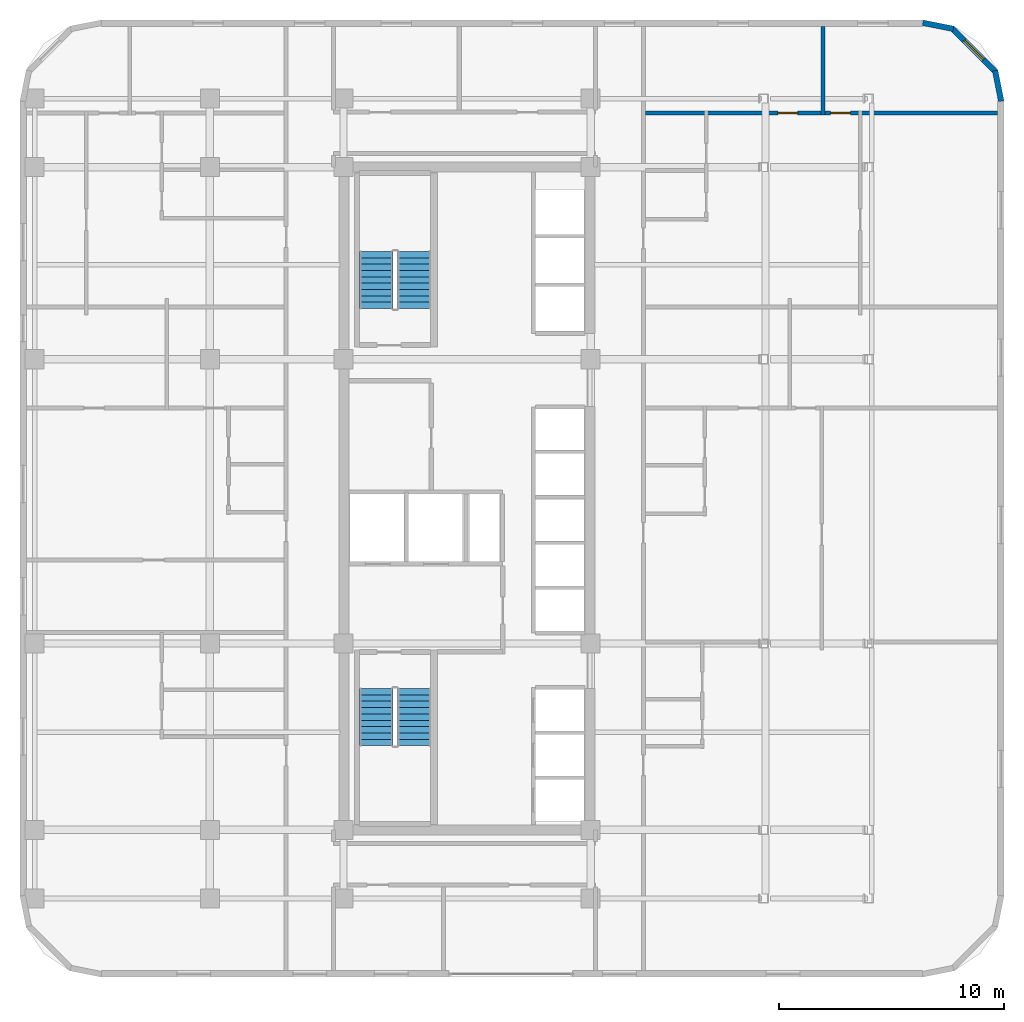
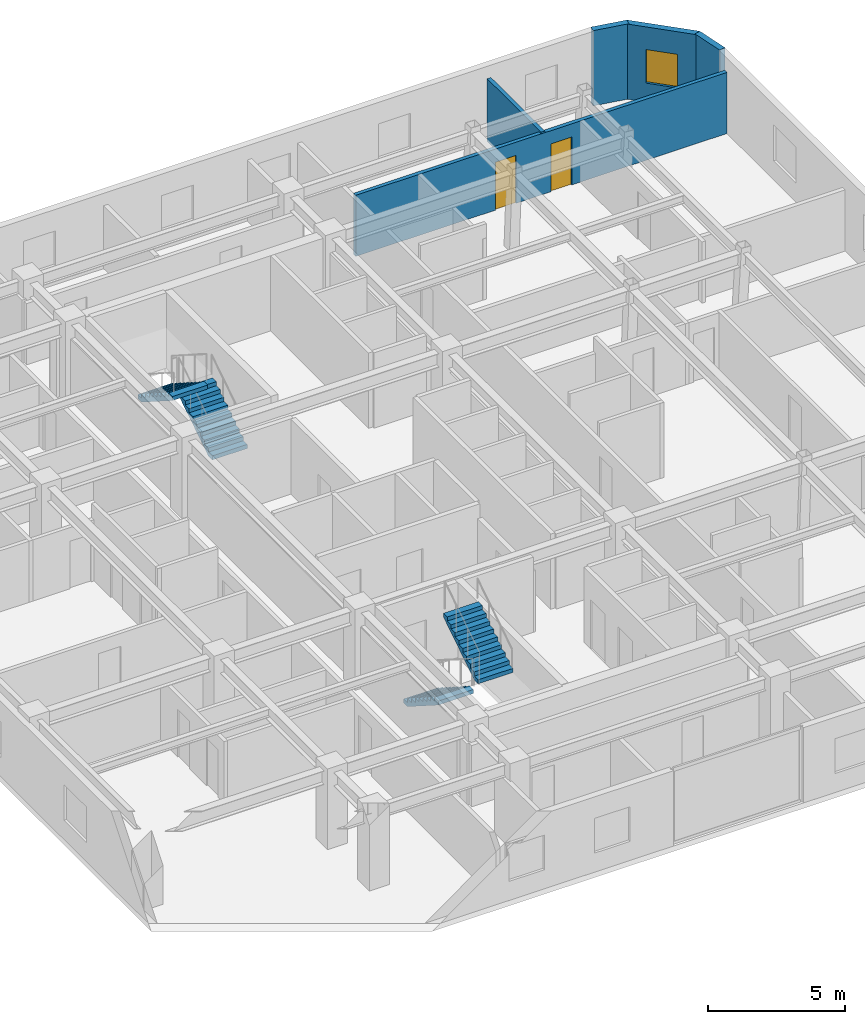
# One storey, part 8 of 9: 5 walls, 4 stair flights, 2 doors, 1 window, 3 openings, 2 elements without a shape of their own.
"""IFC4 building model written with IfcOpenShell, lengths in metres."""

from ifc_helpers import new_model, si_unit, direction, frame, frame_2d, origin, place, context, subcontext, project, spatial, polyline, rectangle, outline, extrude, material, layer, layer_set, type_object, element, fill, aggregate, save


model = new_model("IFC4")

# Units and contexts
model_context = context("Model", 3, precision=1e-05, world=origin(), true_north=direction((0.0, 1.0)))
body_context = subcontext(model_context, "Body", "Model", "MODEL_VIEW")
ifc_project = project(units=[si_unit("LENGTHUNIT", "METRE"), si_unit("AREAUNIT", "SQUARE_METRE"), si_unit("VOLUMEUNIT", "CUBIC_METRE"), si_unit("PLANEANGLEUNIT", "RADIAN"), si_unit("MASSUNIT", "GRAM", prefix="KILO")], contexts=[model_context])

# Site, building, storey
site_placement = place(None, origin())
site = spatial("IfcSite", under=ifc_project, at=site_placement, CompositionType="ELEMENT")
building_placement = place(site_placement, origin())
building = spatial("IfcBuilding", under=site, at=building_placement, Name="Ochreholt Gables", CompositionType="ELEMENT")
storey_placement = place(building_placement, frame((0.0, 0.0, 84.0)))
storey = spatial("IfcBuildingStorey", under=building, at=storey_placement, Name="L21", CompositionType="ELEMENT", Elevation=84.0)

# Wall
ifc_material_1 = material(Name="Precast concrete 40 MPa", Category="concrete")
ifc_layer_1 = layer(ifc_material_1, 0.25, Name="Precast concrete 40 MPa")
ifc_layer_set_1 = layer_set([ifc_layer_1], Name="Precast concrete 40 MPa")
wall_type_1 = type_object("IfcWallType", Name="WALL-EXT-CNR", PredefinedType="SOLIDWALL", material=ifc_layer_set_1)
wall_1_placement = place(storey_placement, frame((53.475830078125, 41.68359375, 0.0), z_axis=(0.0, 0.0, 1.0), x_axis=(-0.195000137217, 0.980803214965, 0.0)))
element("IfcWall", 1, at=wall_1_placement, inside=storey, type_object=wall_type_1, Name="L21 Rounded Corner Wall NE-1", PredefinedType="SOLIDWALL", context=body_context, shape_type="SweptSolid", body=[
    extrude(rectangle(XDim=1.388427734375, YDim=0.25, at=frame_2d((0.6943359375, 0.0))), origin(), (0.0, 0.0, 1.0), 3.360107421875),
])

# Wall, opening, window
wall_2_placement = place(storey_placement, frame((53.23193359375, 42.9951171875, 0.0), z_axis=(0.0, 0.0, 1.0), x_axis=(-0.707151344399, 0.707062215165, 0.0)))
wall_2 = element("IfcWall", 2, at=wall_2_placement, inside=storey, type_object=wall_type_1, Name="L21 Rounded Corner Wall NE-2", PredefinedType="SOLIDWALL", context=body_context, shape_type="SweptSolid", body=[
    extrude(rectangle(XDim=2.7392578125, YDim=0.25, at=frame_2d((1.36962890625, 0.0))), origin(), (0.0, 0.0, 1.0), 3.360107421875),
])
opening_1_placement = place(wall_2_placement, frame((0.769775390625, 0.0, 0.85009765625)))
opening_1 = element("IfcOpeningElement", 3, at=opening_1_placement, cuts=wall_2, Name="Opening WN-3", PredefinedType="OPENING", context=body_context, shape_type="SweptSolid", body=[
    extrude(rectangle(XDim=1.199951171875, YDim=1.5, at=frame_2d((0.60009765625, 0.75))), frame((0.0, 0.135009765625, 0.0), z_axis=(0.0, -1.0, 0.0), x_axis=(1.0, 0.0, 0.0)), (0.0, 0.0, 1.0), 0.27001953125),
])
ifc_material_2 = material(Name="Triple-Glazed Thermally Broken Aluminium Window", Category="aluminium")
window_type = type_object("IfcWindowType", Name="WIN-RES-1200", PartitioningType="SINGLE_PANEL", PredefinedType="WINDOW", material=ifc_material_2)
window_placement = place(opening_1_placement, origin())
window = element("IfcWindow", 4, at=window_placement, inside=storey, type_object=window_type, Name="L21 Corner Bedroom Window NE", OverallHeight=1.5, OverallWidth=1.199951171875, PartitioningType="SINGLE_PANEL", PredefinedType="WINDOW", context=body_context, shape_type="SweptSolid", body=[
    extrude(rectangle(XDim=1.199951171875, YDim=1.5, at=frame_2d((0.60009765625, 0.75))), frame((0.0, 0.030029296875, 0.0), z_axis=(0.0, -1.0, 0.0), x_axis=(1.0, 0.0, 0.0)), (0.0, 0.0, 1.0), 0.06005859375),
])
fill(opening_1, window)

# Wall
wall_3_placement = place(storey_placement, frame((51.345458984375, 44.905029296875, 0.0), z_axis=(0.0, 0.0, 1.0), x_axis=(-0.980809899341, 0.19496651342, 0.0)))
element("IfcWall", 5, at=wall_3_placement, inside=storey, type_object=wall_type_1, Name="L21 Rounded Corner Wall NE-3", PredefinedType="SOLIDWALL", context=body_context, shape_type="SweptSolid", body=[
    extrude(rectangle(XDim=1.388671875, YDim=0.25, at=frame_2d((0.6943359375, 0.0))), origin(), (0.0, 0.0, 1.0), 3.360107421875),
])

# Wall, openings, doors
ifc_material_3 = material(Name="Gypsum Acoustic Stud Partition", Category="gypsum")
ifc_layer_2 = layer(ifc_material_3, 0.159912109375, Name="Gypsum Acoustic Stud Partition")
ifc_layer_set_2 = layer_set([ifc_layer_2], Name="Gypsum Acoustic Stud Partition")
wall_type_2 = type_object("IfcWallType", Name="WALL-INT-PT160", PredefinedType="PARTITIONING", material=ifc_layer_set_2)
wall_4_placement = place(storey_placement, frame((37.639892578125, 41.159912109375, 0.0), z_axis=(0.0, 0.0, 1.0), x_axis=(1.0, 0.0, 0.0)))
wall_4 = element("IfcWall", 6, at=wall_4_placement, inside=storey, type_object=wall_type_2, Name="L21 Interior Wall WU-L21E3-MN", PredefinedType="PARTITIONING", context=body_context, shape_type="SweptSolid", body=[
    extrude(rectangle(XDim=15.68017578125, YDim=0.159912109375, at=frame_2d((7.840087890625, 0.0))), origin(), (0.0, 0.0, 1.0), 2.73095703125),
])
opening_2_placement = place(wall_4_placement, frame((5.8916015625, 0.0, 0.0)))
opening_2 = element("IfcOpeningElement", 7, at=opening_2_placement, cuts=wall_4, Name="Opening D-BD2", PredefinedType="OPENING", context=body_context, shape_type="SweptSolid", body=[
    extrude(rectangle(XDim=0.8798828125, YDim=2.139892578125, at=frame_2d((0.43994140625, 1.06982421875))), frame((0.0, 0.08984375, 0.0), z_axis=(0.0, -1.0, 0.0), x_axis=(1.0, 0.0, 0.0)), (0.0, 0.0, 1.0), 0.179931640625),
])
opening_3_placement = place(wall_4_placement, frame((8.244384765625, 0.0, 0.0)))
opening_3 = element("IfcOpeningElement", 8, at=opening_3_placement, cuts=wall_4, Name="Opening D-BD2", PredefinedType="OPENING", context=body_context, shape_type="SweptSolid", body=[
    extrude(rectangle(XDim=0.8798828125, YDim=2.139892578125, at=frame_2d((0.43994140625, 1.06982421875))), frame((0.0, 0.08984375, 0.0), z_axis=(0.0, -1.0, 0.0), x_axis=(1.0, 0.0, 0.0)), (0.0, 0.0, 1.0), 0.179931640625),
])
ifc_material_4 = material(Name="Engineered Oak Timber", Category="wood")
door_type = type_object("IfcDoorType", Name="DR-INT-BED880", OperationType="NOTDEFINED", PredefinedType="DOOR", material=ifc_material_4)
door_1_placement = place(opening_2_placement, origin())
door_1 = element("IfcDoor", 9, at=door_1_placement, inside=storey, type_object=door_type, Name="L21 Door D-U-L21E3-BD1", OperationType="SINGLE_SWING_RIGHT", OverallHeight=2.139892578125, OverallWidth=0.8798828125, PredefinedType="DOOR", context=body_context, shape_type="SweptSolid", body=[
    extrude(rectangle(XDim=0.8798828125, YDim=2.139892578125, at=frame_2d((0.43994140625, 1.06982421875))), frame((0.0, 0.02490234375, 0.0), z_axis=(0.0, -1.0, 0.0), x_axis=(1.0, 0.0, 0.0)), (0.0, 0.0, 1.0), 0.050048828125),
])
fill(opening_2, door_1)
door_2_placement = place(opening_3_placement, origin())
door_2 = element("IfcDoor", 10, at=door_2_placement, inside=storey, type_object=door_type, Name="L21 Door D-U-L21E3-BD2", OperationType="SINGLE_SWING_LEFT", OverallHeight=2.139892578125, OverallWidth=0.8798828125, PredefinedType="DOOR", context=body_context, shape_type="SweptSolid", body=[
    extrude(rectangle(XDim=0.8798828125, YDim=2.139892578125, at=frame_2d((0.43994140625, 1.06982421875))), frame((0.0, 0.02490234375, 0.0), z_axis=(0.0, -1.0, 0.0), x_axis=(1.0, 0.0, 0.0)), (0.0, 0.0, 1.0), 0.050048828125),
])
fill(opening_3, door_2)

# Wall
wall_5_placement = place(storey_placement, frame((45.544921875, 41.080078125, 0.0), z_axis=(0.0, 0.0, 1.0), x_axis=(0.0, 1.0, 0.0)))
element("IfcWall", 11, at=wall_5_placement, inside=storey, type_object=wall_type_2, Name="L21 Interior Wall WU-L21E3-BSD", PredefinedType="PARTITIONING", context=body_context, shape_type="SweptSolid", body=[
    extrude(rectangle(XDim=3.93994140625, YDim=0.159912109375, at=frame_2d((1.969970703125, 0.0))), origin(), (0.0, 0.0, 1.0), 2.80908203125),
])

# Stair, stair flights
ifc_material_5 = material(Name="Concrete 40 MPa", Category="concrete")
stair_type_1 = type_object("IfcStairType", Name="STAIR-CORE-ST-1", PredefinedType="HALF_TURN_STAIR", material=ifc_material_5)
stair_1_placement = place(storey_placement, origin())
stair_1 = element("IfcStair", 12, at=stair_1_placement, inside=storey, type_object=stair_type_1, Name="L21 Core Exit Stair 1", PredefinedType="HALF_TURN_STAIR")
stair_flight_type = type_object("IfcStairFlightType", Name="FLIGHT-ST-1480-1800", PredefinedType="STRAIGHT", material=ifc_material_5)
stair_flight_1_placement = place(storey_placement, frame((25.659912109375, 15.5400390625, 0.0), z_axis=(0.0, 0.0, 1.0), x_axis=(0.0, -1.0, 0.0)))
stair_flight_1 = element("IfcStairFlight", 13, at=stair_flight_1_placement, type_object=stair_flight_type, Name="ST-1 flight 1", NumberOfRisers=10, NumberOfTreads=9, PredefinedType="STRAIGHT", RiserHeight=0.18, TreadLength=0.282, context=body_context, shape_type="SweptSolid", body=[
    extrude(outline(polyline([(0.0, 0.0), (0.0, 0.179931640625), (0.281982421875, 0.179931640625), (0.281982421875, 0.360107421875), (0.56396484375, 0.360107421875), (0.56396484375, 0.5400390625), (0.845947265625, 0.5400390625), (0.845947265625, 0.719970703125), (1.1279296875, 0.719970703125), (1.1279296875, 0.89990234375), (1.409912109375, 0.89990234375), (1.409912109375, 1.080078125), (1.69189453125, 1.080078125), (1.69189453125, 1.260009765625), (1.97412109375, 1.260009765625), (1.97412109375, 1.43994140625), (2.256103515625, 1.43994140625), (2.256103515625, 1.6201171875), (2.5380859375, 1.6201171875), (2.5380859375, 1.800048828125), (2.5380859375, 1.442138671875), (0.278564453125, 0.0), (0.0, 0.0)])), frame((0.0, 0.739990234375, 0.0), z_axis=(0.0, -1.0, 0.0), x_axis=(1.0, 0.0, 0.0)), (0.0, 0.0, 1.0), 1.47998046875),
])
stair_flight_2_placement = place(storey_placement, frame((27.340087890625, 13.001953125, 1.800048828125), z_axis=(0.0, 0.0, 1.0), x_axis=(0.0, 1.0, 0.0)))
stair_flight_2 = element("IfcStairFlight", 14, at=stair_flight_2_placement, type_object=stair_flight_type, Name="ST-1 flight 2", NumberOfRisers=10, NumberOfTreads=9, PredefinedType="STRAIGHT", RiserHeight=0.18, TreadLength=0.282, context=body_context, shape_type="SweptSolid", body=[
    extrude(outline(polyline([(0.0, 0.0), (0.0, 0.179931640625), (0.281982421875, 0.179931640625), (0.281982421875, 0.360107421875), (0.56396484375, 0.360107421875), (0.56396484375, 0.5400390625), (0.845947265625, 0.5400390625), (0.845947265625, 0.719970703125), (1.1279296875, 0.719970703125), (1.1279296875, 0.89990234375), (1.409912109375, 0.89990234375), (1.409912109375, 1.080078125), (1.69189453125, 1.080078125), (1.69189453125, 1.260009765625), (1.97412109375, 1.260009765625), (1.97412109375, 1.43994140625), (2.256103515625, 1.43994140625), (2.256103515625, 1.6201171875), (2.5380859375, 1.6201171875), (2.5380859375, 1.800048828125), (2.5380859375, 1.442138671875), (0.278564453125, 0.0), (0.0, 0.0)])), frame((0.0, 0.739990234375, 0.0), z_axis=(0.0, -1.0, 0.0), x_axis=(1.0, 0.0, 0.0)), (0.0, 0.0, 1.0), 1.47998046875),
])
aggregate(stair_1, [stair_flight_1, stair_flight_2])

stair_type_2 = type_object("IfcStairType", Name="STAIR-CORE-ST-2", PredefinedType="HALF_TURN_STAIR", material=ifc_material_5)
stair_2_placement = place(storey_placement, origin())
stair_2 = element("IfcStair", 15, at=stair_2_placement, inside=storey, type_object=stair_type_2, Name="L21 Core Exit Stair 2", PredefinedType="HALF_TURN_STAIR")
stair_flight_3_placement = place(storey_placement, frame((27.340087890625, 32.4599609375, 0.0), z_axis=(0.0, 0.0, 1.0), x_axis=(0.0, 1.0, 0.0)))
stair_flight_3 = element("IfcStairFlight", 16, at=stair_flight_3_placement, type_object=stair_flight_type, Name="ST-2 flight 1", NumberOfRisers=10, NumberOfTreads=9, PredefinedType="STRAIGHT", RiserHeight=0.18, TreadLength=0.282, context=body_context, shape_type="SweptSolid", body=[
    extrude(outline(polyline([(0.0, 0.0), (0.0, 0.179931640625), (0.281982421875, 0.179931640625), (0.281982421875, 0.360107421875), (0.56396484375, 0.360107421875), (0.56396484375, 0.5400390625), (0.845947265625, 0.5400390625), (0.845947265625, 0.719970703125), (1.1279296875, 0.719970703125), (1.1279296875, 0.89990234375), (1.409912109375, 0.89990234375), (1.409912109375, 1.080078125), (1.69189453125, 1.080078125), (1.69189453125, 1.260009765625), (1.97412109375, 1.260009765625), (1.97412109375, 1.43994140625), (2.256103515625, 1.43994140625), (2.256103515625, 1.6201171875), (2.5380859375, 1.6201171875), (2.5380859375, 1.800048828125), (2.5380859375, 1.442138671875), (0.278564453125, 0.0), (0.0, 0.0)])), frame((0.0, 0.739990234375, 0.0), z_axis=(0.0, -1.0, 0.0), x_axis=(1.0, 0.0, 0.0)), (0.0, 0.0, 1.0), 1.47998046875),
])
stair_flight_4_placement = place(storey_placement, frame((25.659912109375, 34.998046875, 1.800048828125), z_axis=(0.0, 0.0, 1.0), x_axis=(0.0, -1.0, 0.0)))
stair_flight_4 = element("IfcStairFlight", 17, at=stair_flight_4_placement, type_object=stair_flight_type, Name="ST-2 flight 2", NumberOfRisers=10, NumberOfTreads=9, PredefinedType="STRAIGHT", RiserHeight=0.18, TreadLength=0.282, context=body_context, shape_type="SweptSolid", body=[
    extrude(outline(polyline([(0.0, 0.0), (0.0, 0.179931640625), (0.281982421875, 0.179931640625), (0.281982421875, 0.360107421875), (0.56396484375, 0.360107421875), (0.56396484375, 0.5400390625), (0.845947265625, 0.5400390625), (0.845947265625, 0.719970703125), (1.1279296875, 0.719970703125), (1.1279296875, 0.89990234375), (1.409912109375, 0.89990234375), (1.409912109375, 1.080078125), (1.69189453125, 1.080078125), (1.69189453125, 1.260009765625), (1.97412109375, 1.260009765625), (1.97412109375, 1.43994140625), (2.256103515625, 1.43994140625), (2.256103515625, 1.6201171875), (2.5380859375, 1.6201171875), (2.5380859375, 1.800048828125), (2.5380859375, 1.442138671875), (0.278564453125, 0.0), (0.0, 0.0)])), frame((0.0, 0.739990234375, 0.0), z_axis=(0.0, -1.0, 0.0), x_axis=(1.0, 0.0, 0.0)), (0.0, 0.0, 1.0), 1.47998046875),
])
aggregate(stair_2, [stair_flight_3, stair_flight_4])

save(model, "model.ifc")
